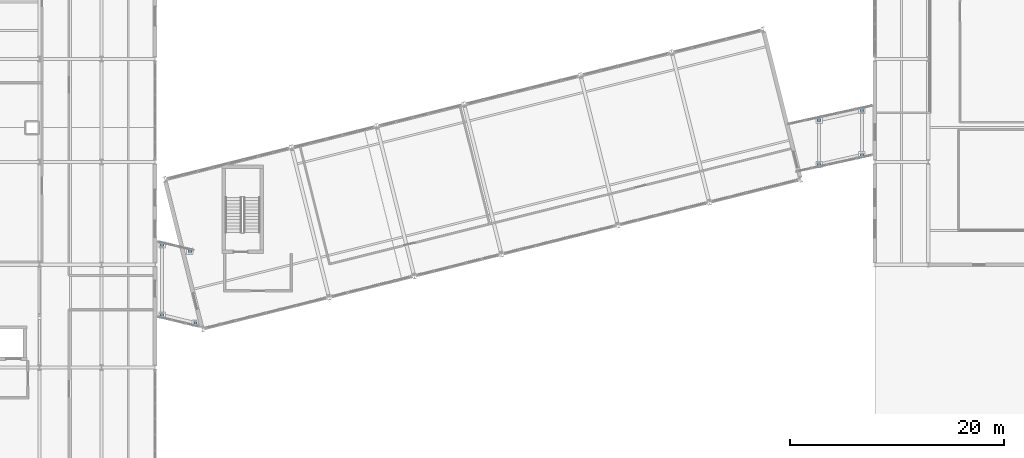
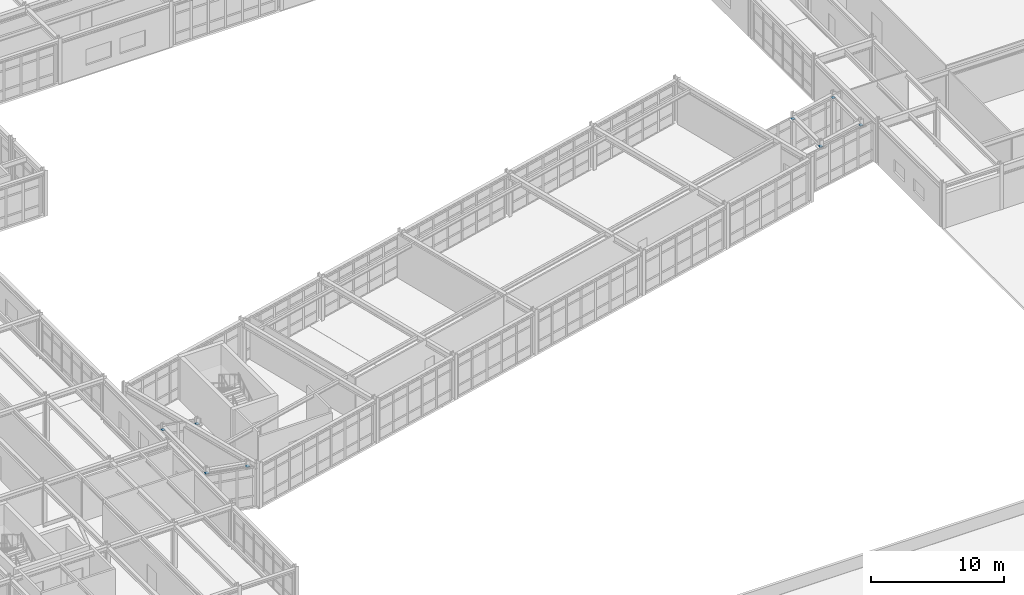
# One storey, part 80 of 88: 8 discrete accessories.
"""IFC4 building model written with IfcOpenShell, lengths in metres."""

from ifc_helpers import new_model, si_unit, direction, frame, origin, origin_2d, place, context, subcontext, project, spatial, rectangle, extrude, material, layer, layer_set, type_object, element, save


model = new_model("IFC4")

# Units and contexts
model_context = context("Model", 3, precision=1e-05, world=origin(), true_north=direction((0.0, 1.0)))
body_context = subcontext(model_context, "Body", "Model", "MODEL_VIEW")
ifc_project = project(units=[si_unit("LENGTHUNIT", "METRE"), si_unit("AREAUNIT", "SQUARE_METRE"), si_unit("VOLUMEUNIT", "CUBIC_METRE"), si_unit("PLANEANGLEUNIT", "RADIAN"), si_unit("MASSUNIT", "GRAM", prefix="KILO")], contexts=[model_context])

# Site, building, storey
site_placement = place(None, origin())
site = spatial("IfcSite", under=ifc_project, at=site_placement, CompositionType="ELEMENT")
building_placement = place(site_placement, origin())
building = spatial("IfcBuilding", under=site, at=building_placement, Name="Nordkorset Police Headquarters", CompositionType="ELEMENT")
storey_placement = place(building_placement, frame((0.0, 0.0, 9.449951171875)))
storey = spatial("IfcBuildingStorey", under=building, at=storey_placement, Name="L02", CompositionType="ELEMENT", Elevation=9.449951171875)

# Discrete accessories
ifc_material = material(Name="Steel S355J2", Category="steel")
ifc_layer = layer(ifc_material, 0.0400390625, Name="Steel S355J2")
ifc_layer_set = layer_set([ifc_layer], Name="Steel S355J2")
discrete_accessory_type = type_object("IfcDiscreteAccessoryType", Name="PTFE_Sliding_Bearing", PredefinedType="USERDEFINED", material=ifc_layer_set)
for number, where, z_axis, x_axis, name in (
    (1, (19.85009765625, 43.300048828125, 3.611083984375), (0.0, 0.0, 1.0), (1.0, 0.0, 0.0), "Unguided PTFE Sliding Bridge Bearing BRG-W L02"),
    (2, (22.949951171875, 42.550048828125, 3.611083984375), (0.0, 0.0, 1.0), (1.0, 0.0, 0.0), "Unguided PTFE Sliding Bridge Bearing BRG-W L02"),
    (3, (19.85009765625, 49.85009765625, 3.611083984375), (0.0, 0.0, 1.0), (1.0, 0.0, 0.0), "Unguided PTFE Sliding Bridge Bearing BRG-W L02"),
    (4, (22.449951171875, 49.25, 3.611083984375), (0.0, 0.0, 1.0), (1.0, 0.0, 0.0), "Unguided PTFE Sliding Bridge Bearing BRG-W L02"),
    (5, (81.199951171875, 57.35009765625, 3.571044921875), (0.0, 0.0, 1.0), (1.0, 0.0, 0.0), "Unguided PTFE Sliding Bridge Bearing BRG-E L02"),
    (6, (85.199951171875, 58.25, 3.571044921875), (0.0, 0.0, 1.0), (1.0, 0.0, 0.0), "Unguided PTFE Sliding Bridge Bearing BRG-E L02"),
    (7, (81.199951171875, 61.5, 3.571044921875), (0.0, 0.0, 1.0), (1.0, 0.0, 0.0), "Unguided PTFE Sliding Bridge Bearing BRG-E L02"),
    (8, (85.199951171875, 62.39990234375, 3.571044921875), (0.0, 0.0, 1.0), (1.0, 0.0, 0.0), "Unguided PTFE Sliding Bridge Bearing BRG-E L02"),
):
    element("IfcDiscreteAccessory", number, at=place(storey_placement, frame(where, z_axis=z_axis, x_axis=x_axis)), inside=storey, type_object=discrete_accessory_type, Name=name, ObjectType="SLIDING BEARING", PredefinedType="USERDEFINED", context=body_context, shape_type="SweptSolid", body=[
        extrude(rectangle(XDim=0.280029296875, YDim=0.280029296875, at=origin_2d()), origin(), (0.0, 0.0, 1.0), 0.0400390625),
    ])

save(model, "model.ifc")
